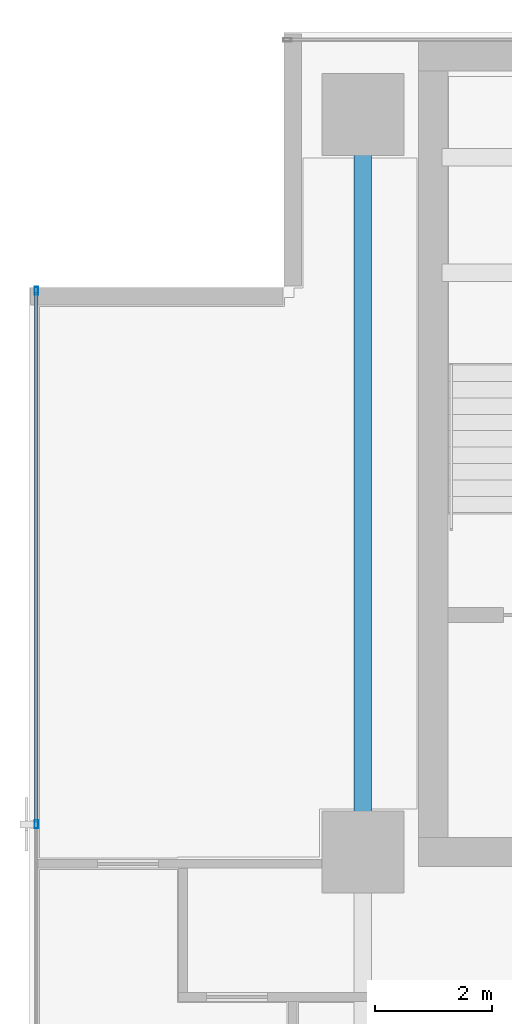
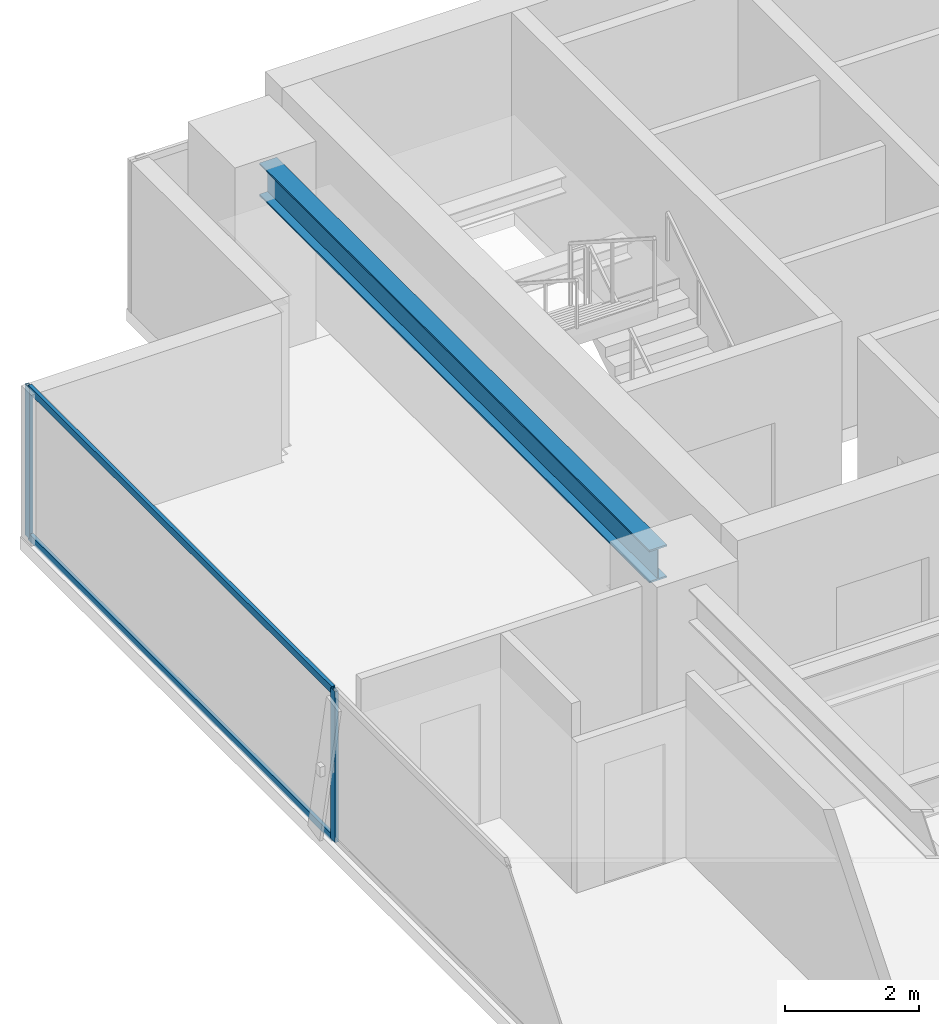
# One storey, part 9 of 26: 4 members, 1 beam, 1 element without a shape of its own.
"""IFC4 building model written with IfcOpenShell, lengths in metres."""

from ifc_helpers import new_model, si_unit, direction, frame, origin, origin_2d, place, context, subcontext, project, spatial, hollow_rectangle, i_section, extrude, source, transform, mapped, material, layer, layer_set, material_profile, profile_set, type_object, element, aggregate, save


model = new_model("IFC4")

# Units and contexts
model_context = context("Model", 3, precision=1e-05, world=origin(), true_north=direction((0.0, 1.0)))
body_context = subcontext(model_context, "Body", "Model", "MODEL_VIEW")
ifc_project = project(units=[si_unit("LENGTHUNIT", "METRE"), si_unit("AREAUNIT", "SQUARE_METRE"), si_unit("VOLUMEUNIT", "CUBIC_METRE"), si_unit("PLANEANGLEUNIT", "RADIAN"), si_unit("MASSUNIT", "GRAM", prefix="KILO")], contexts=[model_context])

# Site, building, storey
site_placement = place(None, origin())
site = spatial("IfcSite", under=ifc_project, at=site_placement, CompositionType="ELEMENT")
building_placement = place(site_placement, origin())
building = spatial("IfcBuilding", under=site, at=building_placement, Name="Sumidabori Civic Tower", CompositionType="ELEMENT")
storey_placement = place(building_placement, frame((0.0, 0.0, 243.199951171875)))
storey = spatial("IfcBuildingStorey", under=building, at=storey_placement, Name="L63", CompositionType="ELEMENT", Elevation=243.199951171875)

# Beam
ifc_material_1 = material(Name="Steel SN490", Category="steel")
ifc_material_profile_1 = material_profile(ifc_material_1, i_section(OverallWidth=0.300048828125, OverallDepth=0.60009765625, WebThickness=0.015380859375, FlangeThickness=0.030029296875, at=origin_2d()), Name="HE 600 B")
ifc_profile_set_1 = profile_set([ifc_material_profile_1], Name="Steel SN490")
beam_type = type_object("IfcBeamType", Name="BM-GIRD-600", PredefinedType="BEAM", material=ifc_profile_set_1)
shared_shape_1 = source(origin(), body_context, "Body", "SweptSolid", [
    extrude(i_section(OverallWidth=0.300048828125, OverallDepth=0.60009765625, WebThickness=0.015380859375, FlangeThickness=0.030029296875, at=origin_2d()), origin(), (0.0, 0.0, 1.0), 11.64013671875),
])
beam_placement = place(storey_placement, frame((-16.800048828125, 10.679931640625, 3.070068359375), z_axis=(0.0, 1.0, 0.0), x_axis=(-1.0, 0.0, 0.0)))
element("IfcBeam", 1, at=beam_placement, inside=storey, type_object=beam_type, Name="Primary Girder L63 GY-11", PredefinedType="BEAM", context=body_context, shape_type="MappedRepresentation", body=[
    mapped(shared_shape_1, transform((0.0, 0.0, 0.0), x_axis=(1.0, 0.0, 0.0), y_axis=(0.0, 1.0, 0.0), z_axis=(0.0, 0.0, 1.0), scale=1.0)),
])

# Curtain wall, members
ifc_material_2 = material(Name="Anodised Bronze Aluminium AW-6063-T6", Category="aluminium")
ifc_layer = layer(ifc_material_2, 0.179931640625, Name="Anodised Bronze Aluminium AW-6063-T6")
ifc_layer_set = layer_set([ifc_layer], Name="Anodised Bronze Aluminium AW-6063-T6")
curtain_wall_type = type_object("IfcCurtainWallType", Name="CW-SYS-5", PredefinedType="NOTDEFINED", material=ifc_layer_set)
curtain_wall_placement = place(storey_placement, origin())
curtain_wall = element("IfcCurtainWall", 2, at=curtain_wall_placement, inside=storey, type_object=curtain_wall_type, Name="Curtain Wall CW:L63:R10", PredefinedType="NOTDEFINED")
ifc_material_profile_2 = material_profile(ifc_material_2, hollow_rectangle(XDim=0.06005859375, YDim=0.139892578125, WallThickness=0.0048828125, at=origin_2d()), Name="ALU MULLION 140x60")
ifc_profile_set_2 = profile_set([ifc_material_profile_2], Name="Anodised Bronze Aluminium AW-6063-T6")
member_type_1 = type_object("IfcMemberType", Name="CW-MUL-140", PredefinedType="MULLION", material=ifc_profile_set_2)
shared_shape_2 = source(origin(), body_context, "Body", "SweptSolid", [
    extrude(hollow_rectangle(XDim=0.06005859375, YDim=0.139892578125, WallThickness=0.0048828125, at=origin_2d()), origin(), (0.0, 0.0, 1.0), 2.75),
])
member_1_placement = place(storey_placement, frame((-22.3798828125, 19.7900390625, 0.0), z_axis=(0.0, 0.0, 1.0), x_axis=(1.0, 0.0, 0.0)))
member_1 = element("IfcMember", 3, at=member_1_placement, type_object=member_type_1, Name="CW-5 mullion 1", PredefinedType="MULLION", context=body_context, shape_type="MappedRepresentation", body=[
    mapped(shared_shape_2, transform((0.0, 0.0, 0.0), x_axis=(1.0, 0.0, 0.0), y_axis=(0.0, 1.0, 0.0), z_axis=(0.0, 0.0, 1.0), scale=1.0)),
])
member_2_placement = place(storey_placement, frame((-22.3798828125, 10.67333984375, 0.0), z_axis=(0.0, 0.0, 1.0), x_axis=(1.0, 0.0, 0.0)))
member_2 = element("IfcMember", 4, at=member_2_placement, type_object=member_type_1, Name="CW-5 mullion 2", PredefinedType="MULLION", context=body_context, shape_type="MappedRepresentation", body=[
    mapped(shared_shape_2, transform((0.0, 0.0, 0.0), x_axis=(1.0, 0.0, 0.0), y_axis=(0.0, 1.0, 0.0), z_axis=(0.0, 0.0, 1.0), scale=1.0)),
])
ifc_material_profile_3 = material_profile(ifc_material_2, hollow_rectangle(XDim=0.06005859375, YDim=0.1298828125, WallThickness=0.0048828125, at=origin_2d()), Name="ALU TRANSOM 130x60")
ifc_profile_set_3 = profile_set([ifc_material_profile_3], Name="Anodised Bronze Aluminium AW-6063-T6")
member_type_2 = type_object("IfcMemberType", Name="CW-TRN-130", PredefinedType="USERDEFINED", material=ifc_profile_set_3)
shared_shape_3 = source(origin(), body_context, "Body", "SweptSolid", [
    extrude(hollow_rectangle(XDim=0.06005859375, YDim=0.1298828125, WallThickness=0.0048828125, at=origin_2d()), origin(), (0.0, 0.0, 1.0), 9.056640625),
])
member_3_placement = place(storey_placement, frame((-22.3798828125, 19.760009765625, 0.030029296875), z_axis=(0.0, -1.0, 0.0), x_axis=(1.0, 0.0, 0.0)))
member_3 = element("IfcMember", 5, at=member_3_placement, type_object=member_type_2, Name="CW-5 transom 1.1", ObjectType="TRANSOM", PredefinedType="USERDEFINED", context=body_context, shape_type="MappedRepresentation", body=[
    mapped(shared_shape_3, transform((0.0, 0.0, 0.0), x_axis=(1.0, 0.0, 0.0), y_axis=(0.0, 1.0, 0.0), z_axis=(0.0, 0.0, 1.0), scale=1.0)),
])
member_4_placement = place(storey_placement, frame((-22.3798828125, 19.760009765625, 2.719970703125), z_axis=(0.0, -1.0, 0.0), x_axis=(1.0, 0.0, 0.0)))
member_4 = element("IfcMember", 6, at=member_4_placement, type_object=member_type_2, Name="CW-5 transom 1.2", ObjectType="TRANSOM", PredefinedType="USERDEFINED", context=body_context, shape_type="MappedRepresentation", body=[
    mapped(shared_shape_3, transform((0.0, 0.0, 0.0), x_axis=(1.0, 0.0, 0.0), y_axis=(0.0, 1.0, 0.0), z_axis=(0.0, 0.0, 1.0), scale=1.0)),
])
aggregate(curtain_wall, [member_1, member_2, member_3, member_4])

save(model, "model.ifc")
